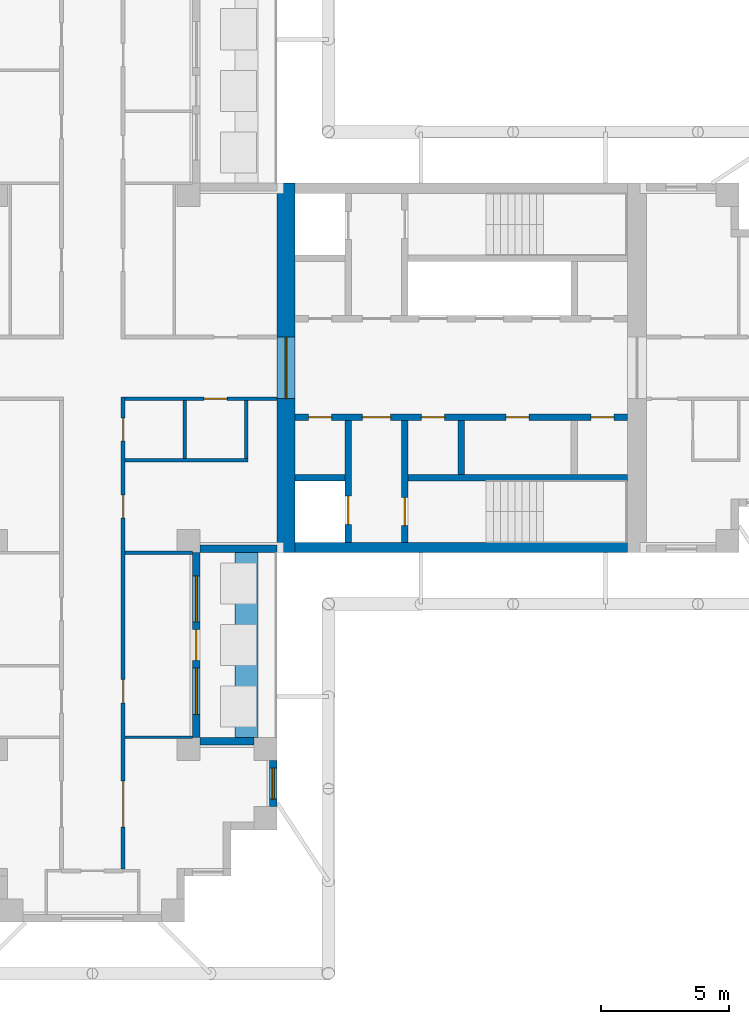
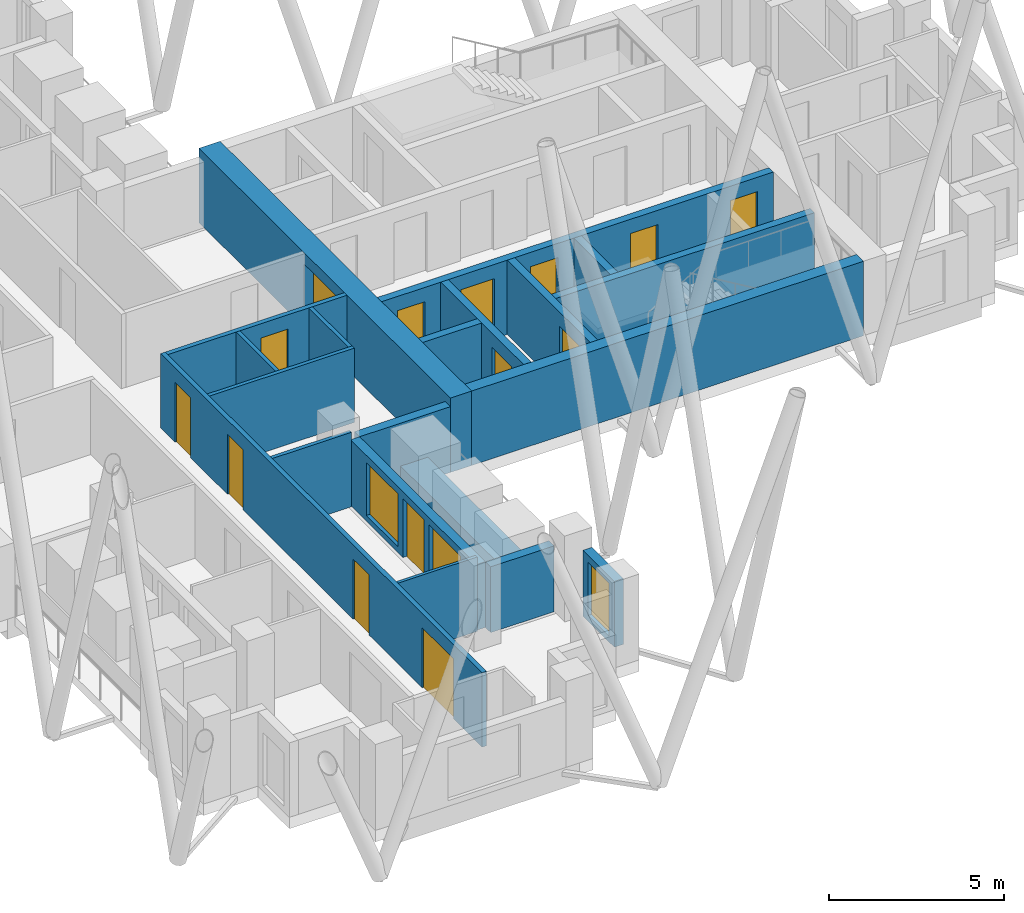
# One storey, part 5 of 11: 20 walls, 14 doors, 3 windows, 17 openings.
"""IFC4 building model written with IfcOpenShell, lengths in metres."""

from ifc_helpers import new_model, si_unit, direction, frame, frame_2d, origin, place, context, subcontext, project, spatial, rectangle, extrude, material, layer, layer_set, type_object, element, fill, save


model = new_model("IFC4")

# Units and contexts
model_context = context("Model", 3, precision=1e-05, world=origin(), true_north=direction((0.0, 1.0)))
body_context = subcontext(model_context, "Body", "Model", "MODEL_VIEW")
ifc_project = project(units=[si_unit("LENGTHUNIT", "METRE"), si_unit("AREAUNIT", "SQUARE_METRE"), si_unit("VOLUMEUNIT", "CUBIC_METRE"), si_unit("PLANEANGLEUNIT", "RADIAN"), si_unit("MASSUNIT", "GRAM", prefix="KILO")], contexts=[model_context])

# Site, building, storey
site_placement = place(None, origin())
site = spatial("IfcSite", under=ifc_project, at=site_placement, CompositionType="ELEMENT")
building_placement = place(site_placement, origin())
building = spatial("IfcBuilding", under=site, at=building_placement, Name="Fustian Cross Tower", CompositionType="ELEMENT")
storey_placement = place(building_placement, frame((0.0, 0.0, 210.89990234375)))
storey = spatial("IfcBuildingStorey", under=building, at=storey_placement, Name="L66", CompositionType="ELEMENT", Elevation=210.89990234375)

# Wall, openings, doors
ifc_material_1 = material(Name="Plasterboard on steel stud", Category="steel")
ifc_layer_1 = layer(ifc_material_1, 0.14990234375)
ifc_layer_set_1 = layer_set([ifc_layer_1], Name="Plasterboard on steel stud")
wall_type_1 = type_object("IfcWallType", Name="COMPARTMENT WALL 150 EI 60", PredefinedType="PARTITIONING", material=ifc_layer_set_1)
wall_1_placement = place(storey_placement, frame((1.199951171875, -19.52490234375, 0.0), z_axis=(0.0, 0.0, 1.0), x_axis=(0.0, 1.0, 0.0)))
wall_1 = element("IfcWall", 1, at=wall_1_placement, inside=storey, type_object=wall_type_1, Name="Partition 32", PredefinedType="PARTITIONING", context=body_context, shape_type="SweptSolid", body=[
    extrude(rectangle(XDim=18.39990234375, YDim=0.14990234375, at=frame_2d((9.199951171875, 0.0))), origin(), (0.0, 0.0, 1.0), 2.60009765625),
])
opening_1_placement = place(wall_1_placement, frame((16.675048828125, 0.0, 0.0)))
opening_1 = element("IfcOpeningElement", 2, at=opening_1_placement, cuts=wall_1, Name="Opening D30006", PredefinedType="OPENING", context=body_context, shape_type="SweptSolid", body=[
    extrude(rectangle(XDim=0.89990234375, YDim=2.10009765625, at=frame_2d((0.449951171875, 1.050048828125))), frame((0.0, 0.0849609375, 0.0), z_axis=(0.0, -1.0, 0.0), x_axis=(1.0, 0.0, 0.0)), (0.0, 0.0, 1.0), 0.169921875),
])
opening_2_placement = place(wall_1_placement, frame((13.675048828125, 0.0, 0.0)))
opening_2 = element("IfcOpeningElement", 3, at=opening_2_placement, cuts=wall_1, Name="Opening D30008", PredefinedType="OPENING", context=body_context, shape_type="SweptSolid", body=[
    extrude(rectangle(XDim=0.89990234375, YDim=2.10009765625, at=frame_2d((0.449951171875, 1.050048828125))), frame((0.0, 0.0849609375, 0.0), z_axis=(0.0, -1.0, 0.0), x_axis=(1.0, 0.0, 0.0)), (0.0, 0.0, 1.0), 0.169921875),
])
opening_3_placement = place(wall_1_placement, frame((6.47509765625, 0.0, 0.0)))
opening_3 = element("IfcOpeningElement", 4, at=opening_3_placement, cuts=wall_1, Name="Opening D30031", PredefinedType="OPENING", context=body_context, shape_type="SweptSolid", body=[
    extrude(rectangle(XDim=0.89990234375, YDim=2.10009765625, at=frame_2d((0.449951171875, 1.050048828125))), frame((0.0, 0.0849609375, 0.0), z_axis=(0.0, -1.0, 0.0), x_axis=(1.0, 0.0, 0.0)), (0.0, 0.0, 1.0), 0.169921875),
])
opening_4_placement = place(wall_1_placement, frame((1.625, 0.0, 0.0)))
opening_4 = element("IfcOpeningElement", 5, at=opening_4_placement, cuts=wall_1, Name="Opening D30032", PredefinedType="OPENING", context=body_context, shape_type="SweptSolid", body=[
    extrude(rectangle(XDim=1.800048828125, YDim=2.10009765625, at=frame_2d((0.89990234375, 1.050048828125))), frame((0.0, 0.0849609375, 0.0), z_axis=(0.0, -1.0, 0.0), x_axis=(1.0, 0.0, 0.0)), (0.0, 0.0, 1.0), 0.169921875),
])
ifc_material_2 = material(Name="Timber fire door set", Category="wood")
door_type_1 = type_object("IfcDoorType", Name="FIRE DOUBLE DOOR 1800 FD30S", OperationType="DOUBLE_DOOR_DOUBLE_SWING", PredefinedType="DOOR", material=ifc_material_2)
door_1_placement = place(opening_4_placement, origin())
door_1 = element("IfcDoor", 6, at=door_1_placement, inside=storey, type_object=door_type_1, Name="Door D30032", OperationType="DOUBLE_DOOR_DOUBLE_SWING", OverallHeight=2.10009765625, OverallWidth=1.800048828125, PredefinedType="DOOR", context=body_context, shape_type="SweptSolid", body=[
    extrude(rectangle(XDim=1.800048828125, YDim=2.10009765625, at=frame_2d((0.89990234375, 1.050048828125))), frame((0.0, 0.02490234375, 0.0), z_axis=(0.0, -1.0, 0.0), x_axis=(1.0, 0.0, 0.0)), (0.0, 0.0, 1.0), 0.050048828125),
])
fill(opening_4, door_1)
ifc_material_3 = material(Name="Timber fire door set", Category="wood")
door_type_2 = type_object("IfcDoorType", Name="FIRE SWING DOOR 900 FD30S", OperationType="SINGLE_SWING_LEFT", PredefinedType="DOOR", material=ifc_material_3)
door_2_placement = place(opening_1_placement, frame((0.89990234375, 0.0, 0.0), z_axis=(0.0, 0.0, 1.0), x_axis=(-1.0, 0.0, 0.0)))
door_2 = element("IfcDoor", 7, at=door_2_placement, inside=storey, type_object=door_type_2, Name="Door D30006", OperationType="SINGLE_SWING_RIGHT", OverallHeight=2.10009765625, OverallWidth=0.89990234375, PredefinedType="DOOR", context=body_context, shape_type="SweptSolid", body=[
    extrude(rectangle(XDim=0.89990234375, YDim=2.10009765625, at=frame_2d((0.449951171875, 1.050048828125))), frame((0.0, 0.02490234375, 0.0), z_axis=(0.0, -1.0, 0.0), x_axis=(1.0, 0.0, 0.0)), (0.0, 0.0, 1.0), 0.050048828125),
])
fill(opening_1, door_2)
door_3_placement = place(opening_2_placement, frame((0.89990234375, 0.0, 0.0), z_axis=(0.0, 0.0, 1.0), x_axis=(-1.0, 0.0, 0.0)))
door_3 = element("IfcDoor", 8, at=door_3_placement, inside=storey, type_object=door_type_2, Name="Door D30008", OperationType="SINGLE_SWING_RIGHT", OverallHeight=2.10009765625, OverallWidth=0.89990234375, PredefinedType="DOOR", context=body_context, shape_type="SweptSolid", body=[
    extrude(rectangle(XDim=0.89990234375, YDim=2.10009765625, at=frame_2d((0.449951171875, 1.050048828125))), frame((0.0, 0.02490234375, 0.0), z_axis=(0.0, -1.0, 0.0), x_axis=(1.0, 0.0, 0.0)), (0.0, 0.0, 1.0), 0.050048828125),
])
fill(opening_2, door_3)
door_4_placement = place(opening_3_placement, frame((0.89990234375, 0.0, 0.0), z_axis=(0.0, 0.0, 1.0), x_axis=(-1.0, 0.0, 0.0)))
door_4 = element("IfcDoor", 9, at=door_4_placement, inside=storey, type_object=door_type_2, Name="Door D30031", OperationType="SINGLE_SWING_RIGHT", OverallHeight=2.10009765625, OverallWidth=0.89990234375, PredefinedType="DOOR", context=body_context, shape_type="SweptSolid", body=[
    extrude(rectangle(XDim=0.89990234375, YDim=2.10009765625, at=frame_2d((0.449951171875, 1.050048828125))), frame((0.0, 0.02490234375, 0.0), z_axis=(0.0, -1.0, 0.0), x_axis=(1.0, 0.0, 0.0)), (0.0, 0.0, 1.0), 0.050048828125),
])
fill(opening_3, door_4)

# Wall, opening, door
wall_2_placement = place(storey_placement, frame((1.27490234375, -1.199951171875, 0.0), z_axis=(0.0, 0.0, 1.0), x_axis=(1.0, 0.0, 0.0)))
wall_2 = element("IfcWall", 10, at=wall_2_placement, inside=storey, type_object=wall_type_1, Name="Partition 37", PredefinedType="PARTITIONING", context=body_context, shape_type="SweptSolid", body=[
    extrude(rectangle(XDim=5.925048828125, YDim=0.14990234375, at=frame_2d((2.96240234375, 0.0))), origin(), (0.0, 0.0, 1.0), 2.60009765625),
])
opening_5_placement = place(wall_2_placement, frame((3.074951171875, 0.0, 0.0)))
opening_5 = element("IfcOpeningElement", 11, at=opening_5_placement, cuts=wall_2, Name="Opening D30007", PredefinedType="OPENING", context=body_context, shape_type="SweptSolid", body=[
    extrude(rectangle(XDim=0.89990234375, YDim=2.10009765625, at=frame_2d((0.449951171875, 1.050048828125))), frame((0.0, 0.0849609375, 0.0), z_axis=(0.0, -1.0, 0.0), x_axis=(1.0, 0.0, 0.0)), (0.0, 0.0, 1.0), 0.169921875),
])
door_5_placement = place(opening_5_placement, frame((0.89990234375, 0.0, 0.0), z_axis=(0.0, 0.0, 1.0), x_axis=(-1.0, 0.0, 0.0)))
door_5 = element("IfcDoor", 12, at=door_5_placement, inside=storey, type_object=door_type_2, Name="Door D30007", OperationType="SINGLE_SWING_RIGHT", OverallHeight=2.10009765625, OverallWidth=0.89990234375, PredefinedType="DOOR", context=body_context, shape_type="SweptSolid", body=[
    extrude(rectangle(XDim=0.89990234375, YDim=2.10009765625, at=frame_2d((0.449951171875, 1.050048828125))), frame((0.0, 0.02490234375, 0.0), z_axis=(0.0, -1.0, 0.0), x_axis=(1.0, 0.0, 0.0)), (0.0, 0.0, 1.0), 0.050048828125),
])
fill(opening_5, door_5)

ifc_material_4 = material(Name="Concrete C50/60", Category="concrete")
ifc_layer_2 = layer(ifc_material_4, 0.699951171875)
ifc_layer_set_2 = layer_set([ifc_layer_2], Name="Concrete C50/60")
wall_type_2 = type_object("IfcWallType", Name="CORE END WALL 700 C50/60", PredefinedType="SHEAR", material=ifc_layer_set_2)
wall_3_placement = place(storey_placement, frame((7.550048828125, -7.199951171875, 0.0), z_axis=(0.0, 0.0, 1.0), x_axis=(0.0, 1.0, 0.0)))
wall_3 = element("IfcWall", 13, at=wall_3_placement, inside=storey, type_object=wall_type_2, Name="Core end wall", PredefinedType="SHEAR", context=body_context, shape_type="SweptSolid", body=[
    extrude(rectangle(XDim=14.39990234375, YDim=0.699951171875, at=frame_2d((7.199951171875, 0.0))), origin(), (0.0, 0.0, 1.0), 2.60009765625),
])
opening_6_placement = place(wall_3_placement, frame((6.0, 0.0, 0.0)))
opening_6 = element("IfcOpeningElement", 14, at=opening_6_placement, cuts=wall_3, Name="Opening CD-28-12", PredefinedType="OPENING", context=body_context, shape_type="SweptSolid", body=[
    extrude(rectangle(XDim=2.39990234375, YDim=2.199951171875, at=frame_2d((1.199951171875, 1.10009765625))), frame((0.0, 0.35986328125, 0.0), z_axis=(0.0, -1.0, 0.0), x_axis=(1.0, 0.0, 0.0)), (0.0, 0.0, 1.0), 0.719970703125),
])
ifc_material_5 = material(Name="Steel", Category="steel")
door_type_3 = type_object("IfcDoorType", Name="FIRE DOOR FD30S DOUBLE 2400X2200", OperationType="DOUBLE_DOOR_DOUBLE_SWING", PredefinedType="DOOR", material=ifc_material_5)
door_6_placement = place(opening_6_placement, frame((2.39990234375, 0.0, 0.0), z_axis=(0.0, 0.0, 1.0), x_axis=(-1.0, 0.0, 0.0)))
door_6 = element("IfcDoor", 15, at=door_6_placement, inside=storey, type_object=door_type_3, Name="Core door CD-28-12", OperationType="DOUBLE_DOOR_DOUBLE_SWING", OverallHeight=2.199951171875, OverallWidth=2.39990234375, PredefinedType="DOOR", context=body_context, shape_type="SweptSolid", body=[
    extrude(rectangle(XDim=2.39990234375, YDim=2.199951171875, at=frame_2d((1.199951171875, 1.10009765625))), frame((0.0, 0.02490234375, 0.0), z_axis=(0.0, -1.0, 0.0), x_axis=(1.0, 0.0, 0.0)), (0.0, 0.0, 1.0), 0.050048828125),
])
fill(opening_6, door_6)

# Wall
ifc_material_6 = material(Name="Concrete C50/60", Category="concrete")
ifc_layer_3 = layer(ifc_material_6, 0.39990234375)
ifc_layer_set_3 = layer_set([ifc_layer_3], Name="Concrete C50/60")
wall_type_3 = type_object("IfcWallType", Name="CORE FACADE WALL 400 C50/60", PredefinedType="SHEAR", material=ifc_layer_set_3)
wall_4_placement = place(storey_placement, frame((7.89990234375, -7.0, 0.0), z_axis=(0.0, 0.0, 1.0), x_axis=(1.0, 0.0, 0.0)))
element("IfcWall", 16, at=wall_4_placement, inside=storey, type_object=wall_type_3, Name="Core facade wall", PredefinedType="SHEAR", context=body_context, shape_type="SweptSolid", body=[
    extrude(rectangle(XDim=12.9501953125, YDim=0.39990234375, at=frame_2d((6.47509765625, 0.0))), origin(), (0.0, 0.0, 1.0), 2.60009765625),
])

# Wall, openings, doors
ifc_material_7 = material(Name="Concrete C50/60", Category="concrete")
ifc_layer_4 = layer(ifc_material_7, 0.25)
ifc_layer_set_4 = layer_set([ifc_layer_4], Name="Concrete C50/60")
wall_type_4 = type_object("IfcWallType", Name="CORE LOBBY WALL 250 C50/60", PredefinedType="SHEAR", material=ifc_layer_set_4)
wall_5_placement = place(storey_placement, frame((7.89990234375, -1.925048828125, 0.0), z_axis=(0.0, 0.0, 1.0), x_axis=(1.0, 0.0, 0.0)))
wall_5 = element("IfcWall", 17, at=wall_5_placement, inside=storey, type_object=wall_type_4, Name="Core lobby wall", PredefinedType="SHEAR", context=body_context, shape_type="SweptSolid", body=[
    extrude(rectangle(XDim=12.9501953125, YDim=0.25, at=frame_2d((6.47509765625, 0.0))), origin(), (0.0, 0.0, 1.0), 2.60009765625),
])
opening_7_placement = place(wall_5_placement, frame((0.52490234375, 0.0, 0.0)))
opening_7 = element("IfcOpeningElement", 18, at=opening_7_placement, cuts=wall_5, Name="Opening CD-28-09", PredefinedType="OPENING", context=body_context, shape_type="SweptSolid", body=[
    extrude(rectangle(XDim=0.89990234375, YDim=2.10009765625, at=frame_2d((0.449951171875, 1.050048828125))), frame((0.0, 0.135009765625, 0.0), z_axis=(0.0, -1.0, 0.0), x_axis=(1.0, 0.0, 0.0)), (0.0, 0.0, 1.0), 0.27001953125),
])
opening_8_placement = place(wall_5_placement, frame((2.625, 0.0, 0.0)))
opening_8 = element("IfcOpeningElement", 19, at=opening_8_placement, cuts=wall_5, Name="Opening CD-28-11", PredefinedType="OPENING", context=body_context, shape_type="SweptSolid", body=[
    extrude(rectangle(XDim=1.10009765625, YDim=2.10009765625, at=frame_2d((0.550048828125, 1.050048828125))), frame((0.0, 0.135009765625, 0.0), z_axis=(0.0, -1.0, 0.0), x_axis=(1.0, 0.0, 0.0)), (0.0, 0.0, 1.0), 0.27001953125),
])
opening_9_placement = place(wall_5_placement, frame((4.925048828125, 0.0, 0.0)))
opening_9 = element("IfcOpeningElement", 20, at=opening_9_placement, cuts=wall_5, Name="Opening CD-28-15", PredefinedType="OPENING", context=body_context, shape_type="SweptSolid", body=[
    extrude(rectangle(XDim=0.89990234375, YDim=2.10009765625, at=frame_2d((0.449951171875, 1.050048828125))), frame((0.0, 0.135009765625, 0.0), z_axis=(0.0, -1.0, 0.0), x_axis=(1.0, 0.0, 0.0)), (0.0, 0.0, 1.0), 0.27001953125),
])
opening_10_placement = place(wall_5_placement, frame((8.22509765625, 0.0, 0.0)))
opening_10 = element("IfcOpeningElement", 21, at=opening_10_placement, cuts=wall_5, Name="Opening CD-28-16", PredefinedType="OPENING", context=body_context, shape_type="SweptSolid", body=[
    extrude(rectangle(XDim=0.89990234375, YDim=2.10009765625, at=frame_2d((0.449951171875, 1.050048828125))), frame((0.0, 0.135009765625, 0.0), z_axis=(0.0, -1.0, 0.0), x_axis=(1.0, 0.0, 0.0)), (0.0, 0.0, 1.0), 0.27001953125),
])
opening_11_placement = place(wall_5_placement, frame((11.52490234375, 0.0, 0.0)))
opening_11 = element("IfcOpeningElement", 22, at=opening_11_placement, cuts=wall_5, Name="Opening CD-28-17", PredefinedType="OPENING", context=body_context, shape_type="SweptSolid", body=[
    extrude(rectangle(XDim=0.89990234375, YDim=2.10009765625, at=frame_2d((0.449951171875, 1.050048828125))), frame((0.0, 0.135009765625, 0.0), z_axis=(0.0, -1.0, 0.0), x_axis=(1.0, 0.0, 0.0)), (0.0, 0.0, 1.0), 0.27001953125),
])
ifc_material_8 = material(Name="Steel", Category="steel")
door_type_4 = type_object("IfcDoorType", Name="FIRE DOOR FD30S 1100X2100", OperationType="SINGLE_SWING_LEFT", PredefinedType="DOOR", material=ifc_material_8)
door_7_placement = place(opening_8_placement, frame((1.10009765625, 0.0, 0.0), z_axis=(0.0, 0.0, 1.0), x_axis=(-1.0, 0.0, 0.0)))
door_7 = element("IfcDoor", 23, at=door_7_placement, inside=storey, type_object=door_type_4, Name="Core door CD-28-11", OperationType="SINGLE_SWING_RIGHT", OverallHeight=2.10009765625, OverallWidth=1.10009765625, PredefinedType="DOOR", context=body_context, shape_type="SweptSolid", body=[
    extrude(rectangle(XDim=1.10009765625, YDim=2.10009765625, at=frame_2d((0.550048828125, 1.050048828125))), frame((0.0, 0.02490234375, 0.0), z_axis=(0.0, -1.0, 0.0), x_axis=(1.0, 0.0, 0.0)), (0.0, 0.0, 1.0), 0.050048828125),
])
fill(opening_8, door_7)
ifc_material_9 = material(Name="Steel", Category="steel")
door_type_5 = type_object("IfcDoorType", Name="FIRE DOOR FD30S 900X2100", OperationType="SINGLE_SWING_LEFT", PredefinedType="DOOR", material=ifc_material_9)
door_8_placement = place(opening_7_placement, frame((0.89990234375, 0.0, 0.0), z_axis=(0.0, 0.0, 1.0), x_axis=(-1.0, 0.0, 0.0)))
door_8 = element("IfcDoor", 24, at=door_8_placement, inside=storey, type_object=door_type_5, Name="Core door CD-28-09", OperationType="SINGLE_SWING_RIGHT", OverallHeight=2.10009765625, OverallWidth=0.89990234375, PredefinedType="DOOR", context=body_context, shape_type="SweptSolid", body=[
    extrude(rectangle(XDim=0.89990234375, YDim=2.10009765625, at=frame_2d((0.449951171875, 1.050048828125))), frame((0.0, 0.02490234375, 0.0), z_axis=(0.0, -1.0, 0.0), x_axis=(1.0, 0.0, 0.0)), (0.0, 0.0, 1.0), 0.050048828125),
])
fill(opening_7, door_8)
door_9_placement = place(opening_9_placement, frame((0.89990234375, 0.0, 0.0), z_axis=(0.0, 0.0, 1.0), x_axis=(-1.0, 0.0, 0.0)))
door_9 = element("IfcDoor", 25, at=door_9_placement, inside=storey, type_object=door_type_5, Name="Core door CD-28-15", OperationType="SINGLE_SWING_RIGHT", OverallHeight=2.10009765625, OverallWidth=0.89990234375, PredefinedType="DOOR", context=body_context, shape_type="SweptSolid", body=[
    extrude(rectangle(XDim=0.89990234375, YDim=2.10009765625, at=frame_2d((0.449951171875, 1.050048828125))), frame((0.0, 0.02490234375, 0.0), z_axis=(0.0, -1.0, 0.0), x_axis=(1.0, 0.0, 0.0)), (0.0, 0.0, 1.0), 0.050048828125),
])
fill(opening_9, door_9)
door_10_placement = place(opening_10_placement, frame((0.89990234375, 0.0, 0.0), z_axis=(0.0, 0.0, 1.0), x_axis=(-1.0, 0.0, 0.0)))
door_10 = element("IfcDoor", 26, at=door_10_placement, inside=storey, type_object=door_type_5, Name="Core door CD-28-16", OperationType="SINGLE_SWING_LEFT", OverallHeight=2.10009765625, OverallWidth=0.89990234375, PredefinedType="DOOR", context=body_context, shape_type="SweptSolid", body=[
    extrude(rectangle(XDim=0.89990234375, YDim=2.10009765625, at=frame_2d((0.449951171875, 1.050048828125))), frame((0.0, 0.02490234375, 0.0), z_axis=(0.0, -1.0, 0.0), x_axis=(1.0, 0.0, 0.0)), (0.0, 0.0, 1.0), 0.050048828125),
])
fill(opening_10, door_10)
door_11_placement = place(opening_11_placement, frame((0.89990234375, 0.0, 0.0), z_axis=(0.0, 0.0, 1.0), x_axis=(-1.0, 0.0, 0.0)))
door_11 = element("IfcDoor", 27, at=door_11_placement, inside=storey, type_object=door_type_5, Name="Core door CD-28-17", OperationType="SINGLE_SWING_RIGHT", OverallHeight=2.10009765625, OverallWidth=0.89990234375, PredefinedType="DOOR", context=body_context, shape_type="SweptSolid", body=[
    extrude(rectangle(XDim=0.89990234375, YDim=2.10009765625, at=frame_2d((0.449951171875, 1.050048828125))), frame((0.0, 0.02490234375, 0.0), z_axis=(0.0, -1.0, 0.0), x_axis=(1.0, 0.0, 0.0)), (0.0, 0.0, 1.0), 0.050048828125),
])
fill(opening_11, door_11)

# Walls
ifc_material_10 = material(Name="Concrete C50/60", Category="concrete")
ifc_layer_5 = layer(ifc_material_10, 0.25)
ifc_layer_set_5 = layer_set([ifc_layer_5], Name="Concrete C50/60")
wall_type_5 = type_object("IfcWallType", Name="CORE SHAFT WALL 250 C50/60", PredefinedType="SHEAR", material=ifc_layer_set_5)
wall_6_placement = place(storey_placement, frame((7.89990234375, -4.27490234375, 0.0), z_axis=(0.0, 0.0, 1.0), x_axis=(1.0, 0.0, 0.0)))
element("IfcWall", 28, at=wall_6_placement, inside=storey, type_object=wall_type_5, Name="Core shaft wall", PredefinedType="SHEAR", context=body_context, shape_type="SweptSolid", body=[
    extrude(rectangle(XDim=1.9501953125, YDim=0.25, at=frame_2d((0.97509765625, 0.0))), origin(), (0.0, 0.0, 1.0), 2.60009765625),
])
wall_7_placement = place(storey_placement, frame((12.300048828125, -4.27490234375, 0.0), z_axis=(0.0, 0.0, 1.0), x_axis=(1.0, 0.0, 0.0)))
element("IfcWall", 29, at=wall_7_placement, inside=storey, type_object=wall_type_5, Name="Core shaft wall", PredefinedType="SHEAR", context=body_context, shape_type="SweptSolid", body=[
    extrude(rectangle(XDim=8.550048828125, YDim=0.25, at=frame_2d((4.27490234375, 0.0))), origin(), (0.0, 0.0, 1.0), 2.60009765625),
])

# Wall, opening, door
wall_8_placement = place(storey_placement, frame((9.97509765625, -2.050048828125, 0.0), z_axis=(0.0, 0.0, 1.0), x_axis=(0.0, -1.0, 0.0)))
wall_8 = element("IfcWall", 30, at=wall_8_placement, inside=storey, type_object=wall_type_5, Name="Core shaft wall", PredefinedType="SHEAR", context=body_context, shape_type="SweptSolid", body=[
    extrude(rectangle(XDim=4.75, YDim=0.25, at=frame_2d((2.375, 0.0))), origin(), (0.0, 0.0, 1.0), 2.60009765625),
])
opening_12_placement = place(wall_8_placement, frame((2.949951171875, 0.0, 0.0)))
opening_12 = element("IfcOpeningElement", 31, at=opening_12_placement, cuts=wall_8, Name="Opening LD", PredefinedType="OPENING", context=body_context, shape_type="SweptSolid", body=[
    extrude(rectangle(XDim=1.10009765625, YDim=2.10009765625, at=frame_2d((0.550048828125, 1.050048828125))), frame((0.0, 0.135009765625, 0.0), z_axis=(0.0, -1.0, 0.0), x_axis=(1.0, 0.0, 0.0)), (0.0, 0.0, 1.0), 0.27001953125),
])
ifc_material_11 = material(Name="Stainless steel", Category="steel")
door_type_6 = type_object("IfcDoorType", Name="LIFT LANDING DOOR 1100X2100", OperationType="SLIDING_TO_LEFT", PredefinedType="DOOR", material=ifc_material_11)
door_12_placement = place(opening_12_placement, origin())
door_12 = element("IfcDoor", 32, at=door_12_placement, inside=storey, type_object=door_type_6, Name="Landing door SV1", OperationType="SLIDING_TO_LEFT", OverallHeight=2.10009765625, OverallWidth=1.10009765625, PredefinedType="DOOR", context=body_context, shape_type="SweptSolid", body=[
    extrude(rectangle(XDim=1.10009765625, YDim=2.10009765625, at=frame_2d((0.550048828125, 1.050048828125))), frame((0.0, 0.02490234375, 0.0), z_axis=(0.0, -1.0, 0.0), x_axis=(1.0, 0.0, 0.0)), (0.0, 0.0, 1.0), 0.050048828125),
])
fill(opening_12, door_12)

wall_9_placement = place(storey_placement, frame((12.175048828125, -2.050048828125, 0.0), z_axis=(0.0, 0.0, 1.0), x_axis=(0.0, -1.0, 0.0)))
wall_9 = element("IfcWall", 33, at=wall_9_placement, inside=storey, type_object=wall_type_5, Name="Core shaft wall", PredefinedType="SHEAR", context=body_context, shape_type="SweptSolid", body=[
    extrude(rectangle(XDim=4.75, YDim=0.25, at=frame_2d((2.375, 0.0))), origin(), (0.0, 0.0, 1.0), 2.60009765625),
])
opening_13_placement = place(wall_9_placement, frame((3.0, 0.0, 0.0)))
opening_13 = element("IfcOpeningElement", 34, at=opening_13_placement, cuts=wall_9, Name="Opening CD-28-07", PredefinedType="OPENING", context=body_context, shape_type="SweptSolid", body=[
    extrude(rectangle(XDim=1.10009765625, YDim=2.10009765625, at=frame_2d((0.550048828125, 1.050048828125))), frame((0.0, 0.135009765625, 0.0), z_axis=(0.0, -1.0, 0.0), x_axis=(1.0, 0.0, 0.0)), (0.0, 0.0, 1.0), 0.27001953125),
])
ifc_material_12 = material(Name="Steel", Category="steel")
door_type_7 = type_object("IfcDoorType", Name="FIRE DOOR FD60S 1100X2100", OperationType="SINGLE_SWING_LEFT", PredefinedType="DOOR", material=ifc_material_12)
door_13_placement = place(opening_13_placement, origin())
door_13 = element("IfcDoor", 35, at=door_13_placement, inside=storey, type_object=door_type_7, Name="Core door CD-28-07", OperationType="SINGLE_SWING_LEFT", OverallHeight=2.10009765625, OverallWidth=1.10009765625, PredefinedType="DOOR", context=body_context, shape_type="SweptSolid", body=[
    extrude(rectangle(XDim=1.10009765625, YDim=2.10009765625, at=frame_2d((0.550048828125, 1.050048828125))), frame((0.0, 0.02490234375, 0.0), z_axis=(0.0, -1.0, 0.0), x_axis=(1.0, 0.0, 0.0)), (0.0, 0.0, 1.0), 0.050048828125),
])
fill(opening_13, door_13)

# Walls
ifc_material_13 = material(Name="Plasterboard on steel stud", Category="steel")
ifc_layer_6 = layer(ifc_material_13, 0.10009765625)
ifc_layer_set_6 = layer_set([ifc_layer_6], Name="Plasterboard on steel stud")
wall_type_6 = type_object("IfcWallType", Name="PARTITION 100 STUD", PredefinedType="PARTITIONING", material=ifc_layer_set_6)
wall_10_placement = place(storey_placement, frame((1.27490234375, -14.39990234375, 0.0), z_axis=(0.0, 0.0, 1.0), x_axis=(1.0, 0.0, 0.0)))
element("IfcWall", 36, at=wall_10_placement, inside=storey, type_object=wall_type_6, Name="Partition 34", PredefinedType="PARTITIONING", context=body_context, shape_type="SweptSolid", body=[
    extrude(rectangle(XDim=2.625, YDim=0.10009765625, at=frame_2d((1.3125, 0.0))), origin(), (0.0, 0.0, 1.0), 2.60009765625),
])
ifc_material_14 = material(Name="Concrete C40/50", Category="concrete")
ifc_layer_7 = layer(ifc_material_14, 0.89990234375)
ifc_layer_set_7 = layer_set([ifc_layer_7], Name="Concrete C40/50")
wall_type_7 = type_object("IfcWallType", Name="PK1 PLANTER 900", PredefinedType="PARAPET", material=ifc_layer_set_7)
wall_11_placement = place(storey_placement, frame((6.0, -14.39990234375, 0.0), z_axis=(0.0, 0.0, 1.0), x_axis=(0.0, 1.0, 0.0)))
element("IfcWall", 37, at=wall_11_placement, inside=storey, type_object=wall_type_7, Name="PLANTER", PredefinedType="PARAPET", context=body_context, shape_type="SweptSolid", body=[
    extrude(rectangle(XDim=7.199951171875, YDim=0.89990234375, at=frame_2d((3.60009765625, 0.0))), origin(), (0.0, 0.0, 1.0), 0.800048828125),
])
ifc_material_15 = material(Name="Concrete C40/50", Category="concrete")
ifc_layer_8 = layer(ifc_material_15, 0.25)
ifc_layer_set_8 = layer_set([ifc_layer_8], Name="Concrete C40/50")
wall_type_8 = type_object("IfcWallType", Name="SHAFT PARTITION WALL 250 C40/50", PredefinedType="PARTITIONING", material=ifc_layer_set_8)
wall_12_placement = place(storey_placement, frame((14.375, -2.050048828125, 0.0), z_axis=(0.0, 0.0, 1.0), x_axis=(0.0, -1.0, 0.0)))
element("IfcWall", 38, at=wall_12_placement, inside=storey, type_object=wall_type_8, Name="Core shaft wall", PredefinedType="PARTITIONING", context=body_context, shape_type="SweptSolid", body=[
    extrude(rectangle(XDim=2.099853515625, YDim=0.25, at=frame_2d((1.0498046875, 0.0))), origin(), (0.0, 0.0, 1.0), 2.60009765625),
])
ifc_material_16 = material(Name="Plasterboard on steel stud", Category="steel")
ifc_layer_9 = layer(ifc_material_16, 0.125)
ifc_layer_set_9 = layer_set([ifc_layer_9], Name="Plasterboard on steel stud")
wall_type_9 = type_object("IfcWallType", Name="WET WALL 125 STUD", PredefinedType="PARTITIONING", material=ifc_layer_set_9)
wall_13_placement = place(storey_placement, frame((1.27490234375, -7.199951171875, 0.0), z_axis=(0.0, 0.0, 1.0), x_axis=(1.0, 0.0, 0.0)))
element("IfcWall", 39, at=wall_13_placement, inside=storey, type_object=wall_type_9, Name="Partition 35", PredefinedType="PARTITIONING", context=body_context, shape_type="SweptSolid", body=[
    extrude(rectangle(XDim=2.625, YDim=0.125, at=frame_2d((1.3125, 0.0))), origin(), (0.0, 0.0, 1.0), 2.60009765625),
])
wall_14_placement = place(storey_placement, frame((1.27490234375, -3.60009765625, 0.0), z_axis=(0.0, 0.0, 1.0), x_axis=(1.0, 0.0, 0.0)))
element("IfcWall", 40, at=wall_14_placement, inside=storey, type_object=wall_type_9, Name="Partition 36", PredefinedType="PARTITIONING", context=body_context, shape_type="SweptSolid", body=[
    extrude(rectangle(XDim=4.78759765625, YDim=0.125, at=frame_2d((2.393798828125, 0.0))), origin(), (0.0, 0.0, 1.0), 2.60009765625),
])
for number, where, z_axis, x_axis, name in (
    (41, (3.60009765625, -3.53759765625, 0.0), (0.0, 0.0, 1.0), (0.0, 1.0, 0.0), "Partition 49"),
    (42, (6.0, -3.53759765625, 0.0), (0.0, 0.0, 1.0), (0.0, 1.0, 0.0), "Partition 51"),
):
    element("IfcWall", number, at=place(storey_placement, frame(where, z_axis=z_axis, x_axis=x_axis)), inside=storey, type_object=wall_type_9, Name=name, PredefinedType="PARTITIONING", context=body_context, shape_type="SweptSolid", body=[
        extrude(rectangle(XDim=2.2626953125, YDim=0.125, at=frame_2d((1.13134765625, 0.0))), origin(), (0.0, 0.0, 1.0), 2.60009765625),
    ])

# Wall, opening, window
ifc_material_17 = material(Name="Dark aluminium cladding on insulated backing wall", Category="aluminium")
ifc_layer_10 = layer(ifc_material_17, 0.300048828125)
ifc_layer_set_10 = layer_set([ifc_layer_10], Name="Dark aluminium cladding on insulated backing wall")
wall_type_10 = type_object("IfcWallType", Name="XW1 EXTERNAL WALL 300", PredefinedType="SOLIDWALL", material=ifc_layer_set_10)
wall_15_placement = place(storey_placement, frame((7.050048828125, -17.10009765625, 0.0), z_axis=(0.0, 0.0, 1.0), x_axis=(0.0, 1.0, 0.0)))
wall_15 = element("IfcWall", 43, at=wall_15_placement, inside=storey, type_object=wall_type_10, Name="External wall", PredefinedType="SOLIDWALL", context=body_context, shape_type="SweptSolid", body=[
    extrude(rectangle(XDim=1.800048828125, YDim=0.300048828125, at=frame_2d((0.89990234375, 0.0))), origin(), (0.0, 0.0, 1.0), 2.300048828125),
])
opening_14_placement = place(wall_15_placement, frame((0.300048828125, 0.0, 0.199951171875)))
opening_14 = element("IfcOpeningElement", 44, at=opening_14_placement, cuts=wall_15, Name="Opening WN3", PredefinedType="OPENING", context=body_context, shape_type="SweptSolid", body=[
    extrude(rectangle(XDim=1.199951171875, YDim=1.85009765625, at=frame_2d((0.60009765625, 0.925048828125))), frame((0.0, 0.159912109375, 0.0), z_axis=(0.0, -1.0, 0.0), x_axis=(1.0, 0.0, 0.0)), (0.0, 0.0, 1.0), 0.320068359375),
])
ifc_material_18 = material(Name="Dark anodised aluminium and double glazing", Category="aluminium")
window_type_1 = type_object("IfcWindowType", Name="WN3 WINDOW 1200X1850", PartitioningType="SINGLE_PANEL", PredefinedType="WINDOW", material=ifc_material_18)
window_1_placement = place(opening_14_placement, origin())
window_1 = element("IfcWindow", 45, at=window_1_placement, inside=storey, type_object=window_type_1, Name="Window", OverallHeight=1.85009765625, OverallWidth=1.199951171875, PartitioningType="SINGLE_PANEL", PredefinedType="WINDOW", context=body_context, shape_type="SweptSolid", body=[
    extrude(rectangle(XDim=1.199951171875, YDim=1.85009765625, at=frame_2d((0.60009765625, 0.925048828125))), frame((0.0, 0.030029296875, 0.0), z_axis=(0.0, -1.0, 0.0), x_axis=(1.0, 0.0, 0.0)), (0.0, 0.0, 1.0), 0.06005859375),
])
fill(opening_14, window_1)

# Wall
wall_16_placement = place(storey_placement, frame((6.300048828125, -14.550048828125, 0.0), z_axis=(0.0, 0.0, 1.0), x_axis=(-1.0, 0.0, 0.0)))
element("IfcWall", 46, at=wall_16_placement, inside=storey, type_object=wall_type_10, Name="External wall", PredefinedType="SOLIDWALL", context=body_context, shape_type="SweptSolid", body=[
    extrude(rectangle(XDim=2.10009765625, YDim=0.300048828125, at=frame_2d((1.050048828125, 0.0))), origin(), (0.0, 0.0, 1.0), 2.300048828125),
])

# Wall, openings, door, windows
wall_17_placement = place(storey_placement, frame((4.050048828125, -14.39990234375, 0.0), z_axis=(0.0, 0.0, 1.0), x_axis=(0.0, 1.0, 0.0)))
wall_17 = element("IfcWall", 47, at=wall_17_placement, inside=storey, type_object=wall_type_10, Name="External wall", PredefinedType="SOLIDWALL", context=body_context, shape_type="SweptSolid", body=[
    extrude(rectangle(XDim=7.199951171875, YDim=0.300048828125, at=frame_2d((3.60009765625, 0.0))), origin(), (0.0, 0.0, 1.0), 2.300048828125),
])
opening_15_placement = place(wall_17_placement, frame((3.0, 0.0, 0.0)))
opening_15 = element("IfcOpeningElement", 48, at=opening_15_placement, cuts=wall_17, Name="Opening XD3", PredefinedType="OPENING", context=body_context, shape_type="SweptSolid", body=[
    extrude(rectangle(XDim=1.199951171875, YDim=2.050048828125, at=frame_2d((0.60009765625, 1.02490234375))), frame((0.0, 0.159912109375, 0.0), z_axis=(0.0, -1.0, 0.0), x_axis=(1.0, 0.0, 0.0)), (0.0, 0.0, 1.0), 0.320068359375),
])
opening_16_placement = place(wall_17_placement, frame((0.89990234375, 0.0, 0.199951171875)))
opening_16 = element("IfcOpeningElement", 49, at=opening_16_placement, cuts=wall_17, Name="Opening WN2", PredefinedType="OPENING", context=body_context, shape_type="SweptSolid", body=[
    extrude(rectangle(XDim=1.800048828125, YDim=1.85009765625, at=frame_2d((0.89990234375, 0.925048828125))), frame((0.0, 0.159912109375, 0.0), z_axis=(0.0, -1.0, 0.0), x_axis=(1.0, 0.0, 0.0)), (0.0, 0.0, 1.0), 0.320068359375),
])
opening_17_placement = place(wall_17_placement, frame((4.5, 0.0, 0.199951171875)))
opening_17 = element("IfcOpeningElement", 50, at=opening_17_placement, cuts=wall_17, Name="Opening WN2", PredefinedType="OPENING", context=body_context, shape_type="SweptSolid", body=[
    extrude(rectangle(XDim=1.800048828125, YDim=1.85009765625, at=frame_2d((0.89990234375, 0.925048828125))), frame((0.0, 0.159912109375, 0.0), z_axis=(0.0, -1.0, 0.0), x_axis=(1.0, 0.0, 0.0)), (0.0, 0.0, 1.0), 0.320068359375),
])
ifc_material_19 = material(Name="Dark anodised aluminium and double glazing", Category="aluminium")
door_type_8 = type_object("IfcDoorType", Name="ED1 BALCONY DOOR 1200X2050", OperationType="SINGLE_SWING_LEFT", PredefinedType="DOOR", material=ifc_material_19)
door_14_placement = place(opening_15_placement, origin())
door_14 = element("IfcDoor", 51, at=door_14_placement, inside=storey, type_object=door_type_8, Name="Balcony door", OperationType="SINGLE_SWING_LEFT", OverallHeight=2.050048828125, OverallWidth=1.199951171875, PredefinedType="DOOR", context=body_context, shape_type="SweptSolid", body=[
    extrude(rectangle(XDim=1.199951171875, YDim=2.050048828125, at=frame_2d((0.60009765625, 1.02490234375))), frame((0.0, 0.02490234375, 0.0), z_axis=(0.0, -1.0, 0.0), x_axis=(1.0, 0.0, 0.0)), (0.0, 0.0, 1.0), 0.050048828125),
])
fill(opening_15, door_14)
ifc_material_20 = material(Name="Dark anodised aluminium and double glazing", Category="aluminium")
window_type_2 = type_object("IfcWindowType", Name="WN2 WINDOW 1800X1850", PartitioningType="SINGLE_PANEL", PredefinedType="WINDOW", material=ifc_material_20)
window_2_placement = place(opening_16_placement, origin())
window_2 = element("IfcWindow", 52, at=window_2_placement, inside=storey, type_object=window_type_2, Name="Window", OverallHeight=1.85009765625, OverallWidth=1.800048828125, PartitioningType="SINGLE_PANEL", PredefinedType="WINDOW", context=body_context, shape_type="SweptSolid", body=[
    extrude(rectangle(XDim=1.800048828125, YDim=1.85009765625, at=frame_2d((0.89990234375, 0.925048828125))), frame((0.0, 0.030029296875, 0.0), z_axis=(0.0, -1.0, 0.0), x_axis=(1.0, 0.0, 0.0)), (0.0, 0.0, 1.0), 0.06005859375),
])
fill(opening_16, window_2)
window_3_placement = place(opening_17_placement, origin())
window_3 = element("IfcWindow", 53, at=window_3_placement, inside=storey, type_object=window_type_2, Name="Window", OverallHeight=1.85009765625, OverallWidth=1.800048828125, PartitioningType="SINGLE_PANEL", PredefinedType="WINDOW", context=body_context, shape_type="SweptSolid", body=[
    extrude(rectangle(XDim=1.800048828125, YDim=1.85009765625, at=frame_2d((0.89990234375, 0.925048828125))), frame((0.0, 0.030029296875, 0.0), z_axis=(0.0, -1.0, 0.0), x_axis=(1.0, 0.0, 0.0)), (0.0, 0.0, 1.0), 0.06005859375),
])
fill(opening_17, window_3)

# Wall
wall_18_placement = place(storey_placement, frame((4.199951171875, -7.050048828125, 0.0), z_axis=(0.0, 0.0, 1.0), x_axis=(1.0, 0.0, 0.0)))
element("IfcWall", 54, at=wall_18_placement, inside=storey, type_object=wall_type_10, Name="External wall", PredefinedType="SOLIDWALL", context=body_context, shape_type="SweptSolid", body=[
    extrude(rectangle(XDim=3.0, YDim=0.300048828125, at=frame_2d((1.5, 0.0))), origin(), (0.0, 0.0, 1.0), 2.300048828125),
])

save(model, "model.ifc")
